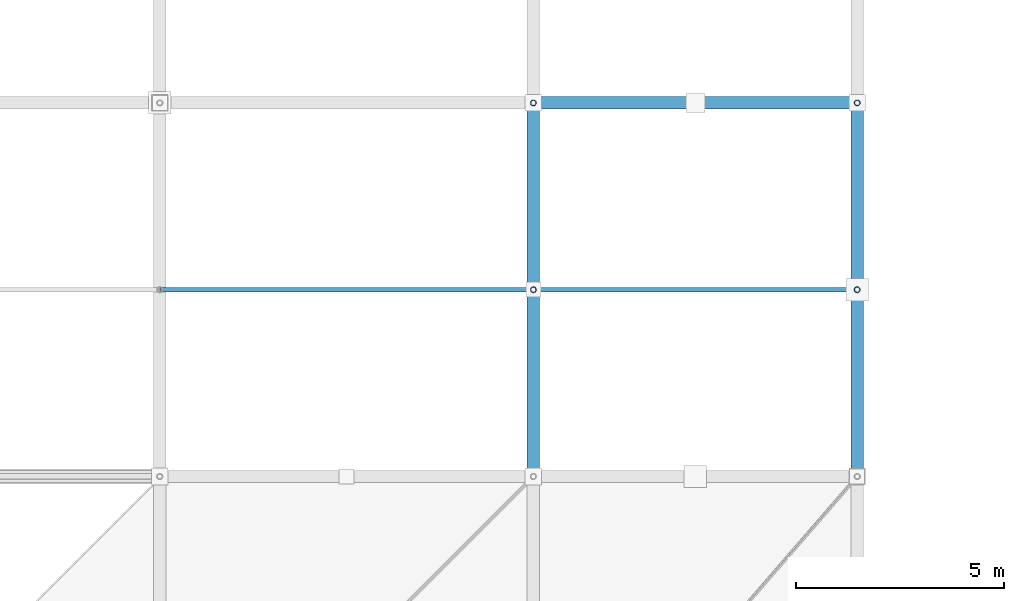
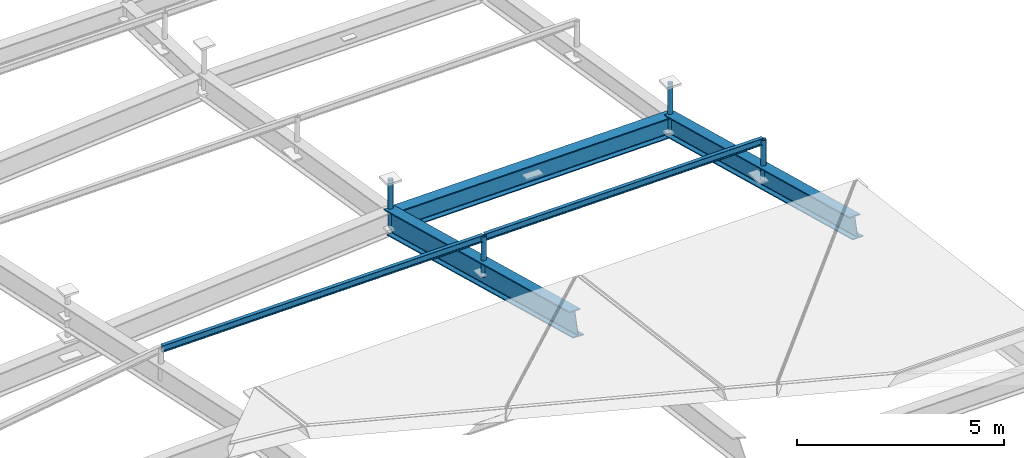
# One storey, part 57 of 80: 6 members, 3 beams.
"""IFC4 building model written with IfcOpenShell, lengths in metres."""

from ifc_helpers import new_model, si_unit, direction, frame, origin, origin_2d, place, context, subcontext, project, spatial, hollow_circle, i_section, extrude, material, material_profile, profile_set, type_object, element, save


model = new_model("IFC4")

# Units and contexts
model_context = context("Model", 3, precision=1e-05, world=origin(), true_north=direction((0.0, 1.0)))
body_context = subcontext(model_context, "Body", "Model", "MODEL_VIEW")
ifc_project = project(units=[si_unit("LENGTHUNIT", "METRE"), si_unit("AREAUNIT", "SQUARE_METRE"), si_unit("VOLUMEUNIT", "CUBIC_METRE"), si_unit("PLANEANGLEUNIT", "RADIAN"), si_unit("MASSUNIT", "GRAM", prefix="KILO")], contexts=[model_context])

# Site, building, storey
site_placement = place(None, origin())
site = spatial("IfcSite", under=ifc_project, at=site_placement, CompositionType="ELEMENT")
building_placement = place(site_placement, origin())
building = spatial("IfcBuilding", under=site, at=building_placement, Name="Barlavento Convention Centre", CompositionType="ELEMENT")
storey_placement = place(building_placement, frame((0.0, 0.0, 29.800048828125)))
storey = spatial("IfcBuildingStorey", under=building, at=storey_placement, Name="RF", CompositionType="ELEMENT", Elevation=29.800048828125)

# Beams
ifc_material_1 = material(Name="Steel S355", Category="steel")
ifc_material_profile_1 = material_profile(ifc_material_1, i_section(OverallWidth=0.300048828125, OverallDepth=0.60009765625, WebThickness=0.015380859375, FlangeThickness=0.030029296875, FilletRadius=0.027099609375, at=origin_2d()), Name="HEB 600")
ifc_profile_set_1 = profile_set([ifc_material_profile_1], Name="Steel S355")
beam_type_1 = type_object("IfcBeamType", Name="STR-BM-CANT-HEB600", PredefinedType="BEAM", material=ifc_profile_set_1)
beam_1_placement = place(storey_placement, frame((63.0048828125, 45.0, -3.313232421875), z_axis=(0.99989428468, 0.0, 0.014540270405), x_axis=(0.0, 1.0, 0.0)))
element("IfcBeam", 1, at=beam_1_placement, inside=storey, type_object=beam_type_1, Name="Congress roof truss space frame chord", PredefinedType="BEAM", context=body_context, shape_type="SweptSolid", body=[
    extrude(i_section(OverallWidth=0.300048828125, OverallDepth=0.60009765625, WebThickness=0.015380859375, FlangeThickness=0.030029296875, FilletRadius=0.027099609375, at=origin_2d()), origin(), (0.0, 0.0, 1.0), 7.790771484375),
])
beam_2_placement = place(storey_placement, frame((70.800048828125, 36.0048828125, -0.78564453125), z_axis=(0.0, 0.965781172214, -0.259358299262), x_axis=(-1.0, 0.0, 0.0)))
element("IfcBeam", 2, at=beam_2_placement, inside=storey, type_object=beam_type_1, Name="Congress roof truss space frame chord", PredefinedType="BEAM", context=body_context, shape_type="SweptSolid", body=[
    extrude(i_section(OverallWidth=0.300048828125, OverallDepth=0.60009765625, WebThickness=0.015380859375, FlangeThickness=0.030029296875, FilletRadius=0.027099609375, at=origin_2d()), origin(), (0.0, 0.0, 1.0), 9.308837890625),
])
ifc_material_2 = material(Name="Steel S460", Category="steel")
ifc_material_profile_2 = material_profile(ifc_material_2, i_section(OverallWidth=0.300048828125, OverallDepth=0.699951171875, WebThickness=0.01708984375, FlangeThickness=0.031982421875, FilletRadius=0.027099609375, at=origin_2d()), Name="HEB 700")
ifc_profile_set_2 = profile_set([ifc_material_profile_2], Name="Steel S460")
beam_type_2 = type_object("IfcBeamType", Name="STR-BM-TRUSS-TOP-HEB700", PredefinedType="BEAM", material=ifc_profile_set_2)
beam_3_placement = place(storey_placement, frame((63.0, 36.0048828125, -0.89892578125), z_axis=(0.0, 0.965781172214, -0.259358299262), x_axis=(-1.0, 0.0, 0.0)))
element("IfcBeam", 3, at=beam_3_placement, inside=storey, type_object=beam_type_2, Name="Congress roof truss space frame chord", PredefinedType="BEAM", context=body_context, shape_type="SweptSolid", body=[
    extrude(i_section(OverallWidth=0.300048828125, OverallDepth=0.699951171875, WebThickness=0.01708984375, FlangeThickness=0.031982421875, FilletRadius=0.027099609375, at=origin_2d()), origin(), (0.0, 0.0, 1.0), 9.308837890625),
])

# Members
ifc_material_profile_3 = material_profile(ifc_material_1, hollow_circle(Radius=0.06982421875, WallThickness=0.008056640625, at=origin_2d()), Name="CHS 139.7x8.0")
ifc_profile_set_3 = profile_set([ifc_material_profile_3], Name="Steel S355")
member_type_1 = type_object("IfcMemberType", Name="STR-MEM-DIAG-CHS139", PredefinedType="BRACE", material=ifc_profile_set_3)
member_1_placement = place(storey_placement, frame((63.0, 45.0, -3.463134765625), z_axis=(0.0, 0.0, 1.0), x_axis=(1.0, 0.0, 0.0)))
element("IfcMember", 4, at=member_1_placement, inside=storey, type_object=member_type_1, Name="Congress space frame vertical node post TD04", PredefinedType="BRACE", context=body_context, shape_type="SweptSolid", body=[
    extrude(hollow_circle(Radius=0.06982421875, WallThickness=0.008056640625, at=origin_2d()), origin(), (0.0, 0.0, 1.0), 1.369873046875),
])
member_2_placement = place(storey_placement, frame((70.800048828125, 45.0, -3.35009765625), z_axis=(0.0, 0.0, 1.0), x_axis=(1.0, 0.0, 0.0)))
element("IfcMember", 5, at=member_2_placement, inside=storey, type_object=member_type_1, Name="Congress space frame vertical node post TD04", PredefinedType="BRACE", context=body_context, shape_type="SweptSolid", body=[
    extrude(hollow_circle(Radius=0.06982421875, WallThickness=0.008056640625, at=origin_2d()), origin(), (0.0, 0.0, 1.0), 1.3701171875),
])
member_3_placement = place(storey_placement, frame((63.0, 40.5, -2.22607421875), z_axis=(0.0, 0.0, 1.0), x_axis=(1.0, 0.0, 0.0)))
element("IfcMember", 6, at=member_3_placement, inside=storey, type_object=member_type_1, Name="Congress space frame vertical node post TD04", PredefinedType="BRACE", context=body_context, shape_type="SweptSolid", body=[
    extrude(hollow_circle(Radius=0.06982421875, WallThickness=0.008056640625, at=origin_2d()), origin(), (0.0, 0.0, 1.0), 1.197021484375),
])
member_4_placement = place(storey_placement, frame((70.800048828125, 40.5, -2.11279296875), z_axis=(0.0, 0.0, 1.0), x_axis=(1.0, 0.0, 0.0)))
element("IfcMember", 7, at=member_4_placement, inside=storey, type_object=member_type_1, Name="Congress space frame vertical node post TD04", PredefinedType="BRACE", context=body_context, shape_type="SweptSolid", body=[
    extrude(hollow_circle(Radius=0.06982421875, WallThickness=0.008056640625, at=origin_2d()), origin(), (0.0, 0.0, 1.0), 1.196533203125),
])
ifc_material_profile_4 = material_profile(ifc_material_1, i_section(OverallWidth=0.10009765625, OverallDepth=0.199951171875, WebThickness=0.005615234375, FlangeThickness=0.008544921875, FilletRadius=0.011962890625, at=origin_2d()), Name="IPE 200")
ifc_profile_set_4 = profile_set([ifc_material_profile_4], Name="Steel S355")
member_type_2 = type_object("IfcMemberType", Name="STR-MEM-PUR-IPE200", PredefinedType="PURLIN", material=ifc_profile_set_4)
member_5_placement = place(storey_placement, frame((54.02001953125, 40.5, -1.21435546875), z_axis=(0.999894950811, 0.0, 0.014494390023), x_axis=(0.0, 1.0, 0.0)))
element("IfcMember", 8, at=member_5_placement, inside=storey, type_object=member_type_2, Name="Congress roof intermediate purlin PR01", PredefinedType="PURLIN", context=body_context, shape_type="SweptSolid", body=[
    extrude(i_section(OverallWidth=0.10009765625, OverallDepth=0.199951171875, WebThickness=0.005615234375, FlangeThickness=0.008544921875, FilletRadius=0.011962890625, at=origin_2d()), origin(), (0.0, 0.0, 1.0), 8.9609375),
])
member_6_placement = place(storey_placement, frame((63.02001953125, 40.5, -1.06884765625), z_axis=(0.999894837982, 0.0, 0.014502171474), x_axis=(0.0, 1.0, 0.0)))
element("IfcMember", 9, at=member_6_placement, inside=storey, type_object=member_type_2, Name="Congress roof intermediate purlin PR01", PredefinedType="PURLIN", context=body_context, shape_type="SweptSolid", body=[
    extrude(i_section(OverallWidth=0.10009765625, OverallDepth=0.199951171875, WebThickness=0.005615234375, FlangeThickness=0.008544921875, FilletRadius=0.011962890625, at=origin_2d()), origin(), (0.0, 0.0, 1.0), 7.7607421875),
])

save(model, "model.ifc")
